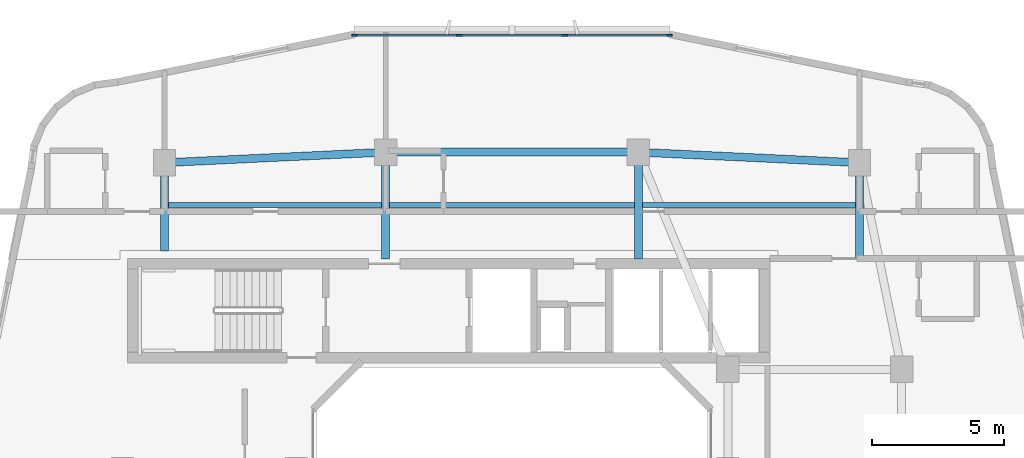
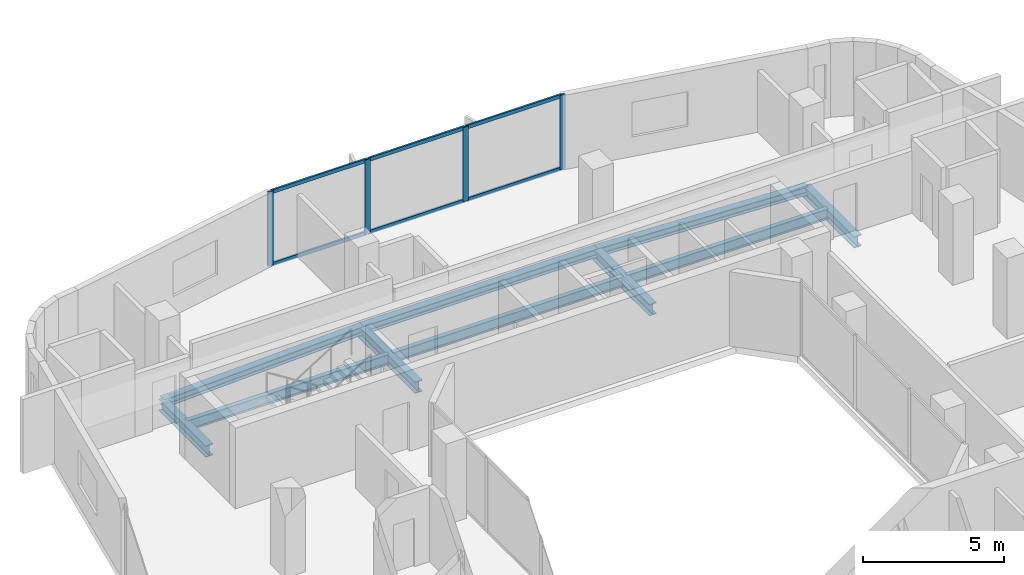
# One storey, part 6 of 18: 10 beams, 10 members, 1 element without a shape of its own.
"""IFC4 building model written with IfcOpenShell, lengths in metres."""

from ifc_helpers import new_model, si_unit, derived_unit, direction, frame, origin, origin_2d, place, context, subcontext, project, spatial, rectangle, i_section, extrude, material, layer, layer_set, material_profile, profile_set, type_object, element, aggregate, save


model = new_model("IFC4")

# Units and contexts
model_context = context("Model", 3, precision=1e-05, world=origin(), true_north=direction((0.0, 1.0)))
body_context = subcontext(model_context, "Body", "Model", "MODEL_VIEW")
ifc_project = project(units=[si_unit("LENGTHUNIT", "METRE"), si_unit("AREAUNIT", "SQUARE_METRE"), si_unit("VOLUMEUNIT", "CUBIC_METRE"), si_unit("PLANEANGLEUNIT", "RADIAN"), si_unit("MASSUNIT", "GRAM", prefix="KILO"), derived_unit("THERMALTRANSMITTANCEUNIT", [(si_unit("POWERUNIT", "WATT"), 1), (si_unit("LENGTHUNIT", "METRE"), -2), (si_unit("THERMODYNAMICTEMPERATUREUNIT", "KELVIN"), -1)])], contexts=[model_context])

# Site, building, storey
site_placement = place(None, origin())
site = spatial("IfcSite", under=ifc_project, at=site_placement, CompositionType="ELEMENT")
building_placement = place(site_placement, origin())
building = spatial("IfcBuilding", under=site, at=building_placement, Name="Kivonza Crest Hotel", CompositionType="ELEMENT")
storey_placement = place(building_placement, frame((0.0, 0.0, 131.0)))
storey = spatial("IfcBuildingStorey", under=building, at=storey_placement, Name="L35", CompositionType="ELEMENT", Elevation=131.0)

# Beams
ifc_material_1 = material(Name="Steel S355", Category="steel")
ifc_material_profile_1 = material_profile(ifc_material_1, i_section(OverallWidth=0.300048828125, OverallDepth=0.360107421875, WebThickness=0.012451171875, FlangeThickness=0.0224609375, FilletRadius=0.027099609375, at=origin_2d()), Name="HEB 360")
ifc_profile_set_1 = profile_set([ifc_material_profile_1], Name="Steel S355")
beam_type_1 = type_object("IfcBeamType", Name="BM-HEB360", PredefinedType="SPANDREL", material=ifc_profile_set_1)
beam_1_placement = place(storey_placement, frame((34.199951171875, 40.199951171875, -0.4599609375), z_axis=(-0.998867283688, 0.047583080799, 0.0), x_axis=(-0.047583080799, -0.998867283688, 0.0)))
element("IfcBeam", 1, at=beam_1_placement, inside=storey, type_object=beam_type_1, Name="Tower T1 L35 perimeter spandrel NE-N2", PredefinedType="SPANDREL", context=body_context, shape_type="SweptSolid", body=[
    extrude(i_section(OverallWidth=0.300048828125, OverallDepth=0.360107421875, WebThickness=0.012451171875, FlangeThickness=0.0224609375, FilletRadius=0.027099609375, at=origin_2d()), origin(), (0.0, 0.0, 1.0), 8.409423828125),
])
beam_2_placement = place(storey_placement, frame((25.800048828125, 40.60009765625, -0.4599609375), z_axis=(-1.0, 0.0, 0.0), x_axis=(0.0, -1.0, 0.0)))
element("IfcBeam", 2, at=beam_2_placement, inside=storey, type_object=beam_type_1, Name="Tower T1 L35 perimeter spandrel N2-N1", PredefinedType="SPANDREL", context=body_context, shape_type="SweptSolid", body=[
    extrude(i_section(OverallWidth=0.300048828125, OverallDepth=0.360107421875, WebThickness=0.012451171875, FlangeThickness=0.0224609375, FilletRadius=0.027099609375, at=origin_2d()), origin(), (0.0, 0.0, 1.0), 9.60009765625),
])
beam_3_placement = place(storey_placement, frame((16.199951171875, 40.60009765625, -0.4599609375), z_axis=(-0.998867283688, -0.047583080799, 0.0), x_axis=(0.047583080799, -0.998867283688, 0.0)))
element("IfcBeam", 3, at=beam_3_placement, inside=storey, type_object=beam_type_1, Name="Tower T1 L35 perimeter spandrel N1-NW", PredefinedType="SPANDREL", context=body_context, shape_type="SweptSolid", body=[
    extrude(i_section(OverallWidth=0.300048828125, OverallDepth=0.360107421875, WebThickness=0.012451171875, FlangeThickness=0.0224609375, FilletRadius=0.027099609375, at=origin_2d()), origin(), (0.0, 0.0, 1.0), 8.409423828125),
])
ifc_material_profile_2 = material_profile(ifc_material_1, i_section(OverallWidth=0.300048828125, OverallDepth=0.5, WebThickness=0.014404296875, FlangeThickness=0.028076171875, FilletRadius=0.027099609375, at=origin_2d()), Name="HEB 500")
ifc_profile_set_2 = profile_set([ifc_material_profile_2], Name="Steel S355")
beam_type_2 = type_object("IfcBeamType", Name="BM-HEB500", PredefinedType="BEAM", material=ifc_profile_set_2)
beam_4_placement = place(storey_placement, frame((7.800048828125, 40.199951171875, -0.530029296875), z_axis=(0.0, -1.0, 0.0), x_axis=(1.0, 0.0, 0.0)))
element("IfcBeam", 4, at=beam_4_placement, inside=storey, type_object=beam_type_2, Name="Tower T1 L35 radial core girder RNW", PredefinedType="BEAM", context=body_context, shape_type="SweptSolid", body=[
    extrude(i_section(OverallWidth=0.300048828125, OverallDepth=0.5, WebThickness=0.014404296875, FlangeThickness=0.028076171875, FilletRadius=0.027099609375, at=origin_2d()), origin(), (0.0, 0.0, 1.0), 3.349853515625),
])
for number, where, z_axis, x_axis, name in (
    (5, (16.199951171875, 40.60009765625, -0.530029296875), (0.0, -1.0, 0.0), (1.0, 0.0, 0.0), "Tower T1 L35 radial core girder RN1"),
    (6, (25.800048828125, 40.60009765625, -0.530029296875), (0.0, -1.0, 0.0), (1.0, 0.0, 0.0), "Tower T1 L35 radial core girder RN2"),
):
    element("IfcBeam", number, at=place(storey_placement, frame(where, z_axis=z_axis, x_axis=x_axis)), inside=storey, type_object=beam_type_2, Name=name, PredefinedType="BEAM", context=body_context, shape_type="SweptSolid", body=[
        extrude(i_section(OverallWidth=0.300048828125, OverallDepth=0.5, WebThickness=0.014404296875, FlangeThickness=0.028076171875, FilletRadius=0.027099609375, at=origin_2d()), origin(), (0.0, 0.0, 1.0), 4.050048828125),
    ])
beam_5_placement = place(storey_placement, frame((34.199951171875, 40.199951171875, -0.530029296875), z_axis=(0.0, -1.0, 0.0), x_axis=(1.0, 0.0, 0.0)))
element("IfcBeam", 7, at=beam_5_placement, inside=storey, type_object=beam_type_2, Name="Tower T1 L35 radial core girder RNE", PredefinedType="BEAM", context=body_context, shape_type="SweptSolid", body=[
    extrude(i_section(OverallWidth=0.300048828125, OverallDepth=0.5, WebThickness=0.014404296875, FlangeThickness=0.028076171875, FilletRadius=0.027099609375, at=origin_2d()), origin(), (0.0, 0.0, 1.0), 3.64990234375),
])
ifc_material_profile_3 = material_profile(ifc_material_1, i_section(OverallWidth=0.18994140625, OverallDepth=0.449951171875, WebThickness=0.009521484375, FlangeThickness=0.0146484375, FilletRadius=0.02099609375, at=origin_2d()), Name="IPE 450")
ifc_profile_set_3 = profile_set([ifc_material_profile_3], Name="Steel S355")
beam_type_3 = type_object("IfcBeamType", Name="BM-IPE450", PredefinedType="JOIST", material=ifc_profile_set_3)
beam_6_placement = place(storey_placement, frame((7.8798828125, 38.60009765625, -0.5048828125), z_axis=(1.0, 0.0, 0.0), x_axis=(0.0, 1.0, 0.0)))
element("IfcBeam", 8, at=beam_6_placement, inside=storey, type_object=beam_type_3, Name="Tower T1 L35 North-West floor joist", PredefinedType="JOIST", context=body_context, shape_type="SweptSolid", body=[
    extrude(i_section(OverallWidth=0.18994140625, OverallDepth=0.449951171875, WebThickness=0.009521484375, FlangeThickness=0.0146484375, FilletRadius=0.02099609375, at=origin_2d()), origin(), (0.0, 0.0, 1.0), 8.240234375),
])
beam_7_placement = place(storey_placement, frame((16.280029296875, 38.60009765625, -0.5048828125), z_axis=(1.0, 0.0, 0.0), x_axis=(0.0, 1.0, 0.0)))
element("IfcBeam", 9, at=beam_7_placement, inside=storey, type_object=beam_type_3, Name="Tower T1 L35 North-Mid floor joist", PredefinedType="JOIST", context=body_context, shape_type="SweptSolid", body=[
    extrude(i_section(OverallWidth=0.18994140625, OverallDepth=0.449951171875, WebThickness=0.009521484375, FlangeThickness=0.0146484375, FilletRadius=0.02099609375, at=origin_2d()), origin(), (0.0, 0.0, 1.0), 9.43994140625),
])
beam_8_placement = place(storey_placement, frame((25.8798828125, 38.60009765625, -0.5048828125), z_axis=(1.0, 0.0, 0.0), x_axis=(0.0, 1.0, 0.0)))
element("IfcBeam", 10, at=beam_8_placement, inside=storey, type_object=beam_type_3, Name="Tower T1 L35 North-East floor joist", PredefinedType="JOIST", context=body_context, shape_type="SweptSolid", body=[
    extrude(i_section(OverallWidth=0.18994140625, OverallDepth=0.449951171875, WebThickness=0.009521484375, FlangeThickness=0.0146484375, FilletRadius=0.02099609375, at=origin_2d()), origin(), (0.0, 0.0, 1.0), 8.240234375),
])

# Curtain wall, members
ifc_material_2 = material(Name="Anodised bronze aluminium and low-E double glazing", Category="aluminium")
ifc_layer = layer(ifc_material_2, 0.179931640625)
ifc_layer_set = layer_set([ifc_layer], Name="Anodised bronze aluminium and low-E double glazing")
curtain_wall_type = type_object("IfcCurtainWallType", Name="CW-SYS-3", PredefinedType="NOTDEFINED", material=ifc_layer_set)
curtain_wall_placement = place(storey_placement, origin())
curtain_wall = element("IfcCurtainWall", 11, at=curtain_wall_placement, inside=storey, type_object=curtain_wall_type, Name="L35 unitised curtain wall CW-T1-L35-26", PredefinedType="NOTDEFINED")
ifc_material_3 = material(Name="Anodised bronze aluminium", Category="aluminium")
ifc_material_profile_4 = material_profile(ifc_material_3, rectangle(XDim=0.074951171875, YDim=0.219970703125, at=origin_2d()), Name="CW-M 75x220")
ifc_profile_set_4 = profile_set([ifc_material_profile_4], Name="Anodised bronze aluminium")
member_type_1 = type_object("IfcMemberType", Name="CW-MUL-75x220", PredefinedType="MULLION", material=ifc_profile_set_4)
member_1_placement = place(storey_placement, frame((26.982421875, 45.0400390625, 0.0), z_axis=(0.0, 0.0, 1.0), x_axis=(0.0, -1.0, 0.0)))
member_1 = element("IfcMember", 12, at=member_1_placement, type_object=member_type_1, Name="CW-3 mullion 1", PredefinedType="MULLION", context=body_context, shape_type="SweptSolid", body=[
    extrude(rectangle(XDim=0.074951171875, YDim=0.219970703125, at=origin_2d()), origin(), (0.0, 0.0, 1.0), 3.219970703125),
])
member_2_placement = place(storey_placement, frame((23.006591796875, 45.0400390625, 0.0), z_axis=(0.0, 0.0, 1.0), x_axis=(0.0, -1.0, 0.0)))
member_2 = element("IfcMember", 13, at=member_2_placement, type_object=member_type_1, Name="CW-3 mullion 2", PredefinedType="MULLION", context=body_context, shape_type="SweptSolid", body=[
    extrude(rectangle(XDim=0.074951171875, YDim=0.219970703125, at=origin_2d()), origin(), (0.0, 0.0, 1.0), 3.219970703125),
])
member_3_placement = place(storey_placement, frame((18.993408203125, 45.0400390625, 0.0), z_axis=(0.0, 0.0, 1.0), x_axis=(0.0, -1.0, 0.0)))
member_3 = element("IfcMember", 14, at=member_3_placement, type_object=member_type_1, Name="CW-3 mullion 3", PredefinedType="MULLION", context=body_context, shape_type="SweptSolid", body=[
    extrude(rectangle(XDim=0.074951171875, YDim=0.219970703125, at=origin_2d()), origin(), (0.0, 0.0, 1.0), 3.219970703125),
])
member_4_placement = place(storey_placement, frame((15.017578125, 45.0400390625, 0.0), z_axis=(0.0, 0.0, 1.0), x_axis=(0.0, -1.0, 0.0)))
member_4 = element("IfcMember", 15, at=member_4_placement, type_object=member_type_1, Name="CW-3 mullion 4", PredefinedType="MULLION", context=body_context, shape_type="SweptSolid", body=[
    extrude(rectangle(XDim=0.074951171875, YDim=0.219970703125, at=origin_2d()), origin(), (0.0, 0.0, 1.0), 3.219970703125),
])
ifc_material_profile_5 = material_profile(ifc_material_3, rectangle(XDim=0.074951171875, YDim=0.159912109375, at=origin_2d()), Name="CW-T 75x160")
ifc_profile_set_5 = profile_set([ifc_material_profile_5], Name="Anodised bronze aluminium")
member_type_2 = type_object("IfcMemberType", Name="CW-TRN-75x160", PredefinedType="USERDEFINED", material=ifc_profile_set_5)
member_5_placement = place(storey_placement, frame((26.945068359375, 45.0400390625, 0.03759765625), z_axis=(-1.0, 0.0, 0.0), x_axis=(0.0, -1.0, 0.0)))
member_5 = element("IfcMember", 16, at=member_5_placement, type_object=member_type_2, Name="CW-3 transom 1.1", ObjectType="TRANSOM", PredefinedType="USERDEFINED", context=body_context, shape_type="SweptSolid", body=[
    extrude(rectangle(XDim=0.074951171875, YDim=0.159912109375, at=origin_2d()), origin(), (0.0, 0.0, 1.0), 3.90087890625),
])
member_6_placement = place(storey_placement, frame((26.945068359375, 45.0400390625, 3.1826171875), z_axis=(-1.0, 0.0, 0.0), x_axis=(0.0, -1.0, 0.0)))
member_6 = element("IfcMember", 17, at=member_6_placement, type_object=member_type_2, Name="CW-3 transom 1.2", ObjectType="TRANSOM", PredefinedType="USERDEFINED", context=body_context, shape_type="SweptSolid", body=[
    extrude(rectangle(XDim=0.074951171875, YDim=0.159912109375, at=origin_2d()), origin(), (0.0, 0.0, 1.0), 3.90087890625),
])
member_7_placement = place(storey_placement, frame((22.96923828125, 45.0400390625, 0.03759765625), z_axis=(-1.0, 0.0, 0.0), x_axis=(0.0, -1.0, 0.0)))
member_7 = element("IfcMember", 18, at=member_7_placement, type_object=member_type_2, Name="CW-3 transom 2.1", ObjectType="TRANSOM", PredefinedType="USERDEFINED", context=body_context, shape_type="SweptSolid", body=[
    extrude(rectangle(XDim=0.074951171875, YDim=0.159912109375, at=origin_2d()), origin(), (0.0, 0.0, 1.0), 3.9384765625),
])
member_8_placement = place(storey_placement, frame((22.96923828125, 45.0400390625, 3.1826171875), z_axis=(-1.0, 0.0, 0.0), x_axis=(0.0, -1.0, 0.0)))
member_8 = element("IfcMember", 19, at=member_8_placement, type_object=member_type_2, Name="CW-3 transom 2.2", ObjectType="TRANSOM", PredefinedType="USERDEFINED", context=body_context, shape_type="SweptSolid", body=[
    extrude(rectangle(XDim=0.074951171875, YDim=0.159912109375, at=origin_2d()), origin(), (0.0, 0.0, 1.0), 3.9384765625),
])
member_9_placement = place(storey_placement, frame((18.955810546875, 45.0400390625, 0.03759765625), z_axis=(-1.0, 0.0, 0.0), x_axis=(0.0, -1.0, 0.0)))
member_9 = element("IfcMember", 20, at=member_9_placement, type_object=member_type_2, Name="CW-3 transom 3.1", ObjectType="TRANSOM", PredefinedType="USERDEFINED", context=body_context, shape_type="SweptSolid", body=[
    extrude(rectangle(XDim=0.074951171875, YDim=0.159912109375, at=origin_2d()), origin(), (0.0, 0.0, 1.0), 3.90087890625),
])
member_10_placement = place(storey_placement, frame((18.955810546875, 45.0400390625, 3.1826171875), z_axis=(-1.0, 0.0, 0.0), x_axis=(0.0, -1.0, 0.0)))
member_10 = element("IfcMember", 21, at=member_10_placement, type_object=member_type_2, Name="CW-3 transom 3.2", ObjectType="TRANSOM", PredefinedType="USERDEFINED", context=body_context, shape_type="SweptSolid", body=[
    extrude(rectangle(XDim=0.074951171875, YDim=0.159912109375, at=origin_2d()), origin(), (0.0, 0.0, 1.0), 3.90087890625),
])
aggregate(curtain_wall, [member_1, member_2, member_3, member_4, member_5, member_6, member_7, member_8, member_9, member_10])

save(model, "model.ifc")
